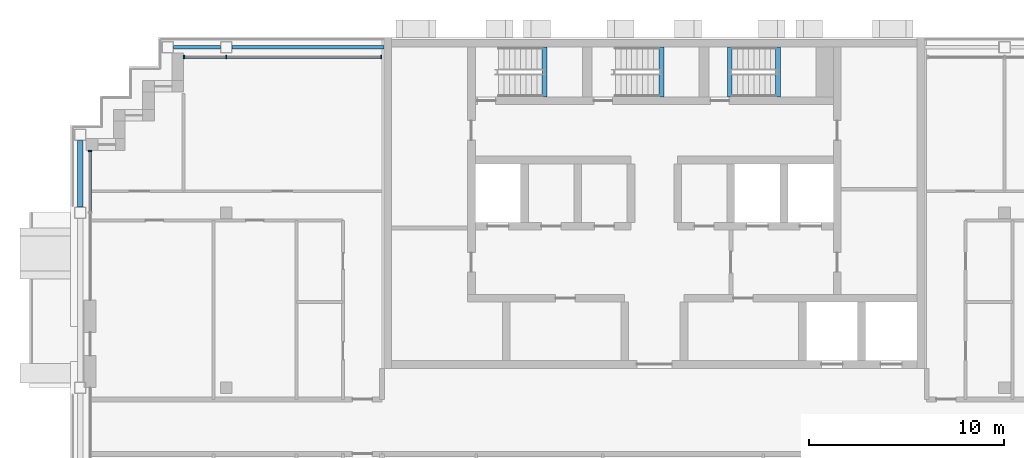
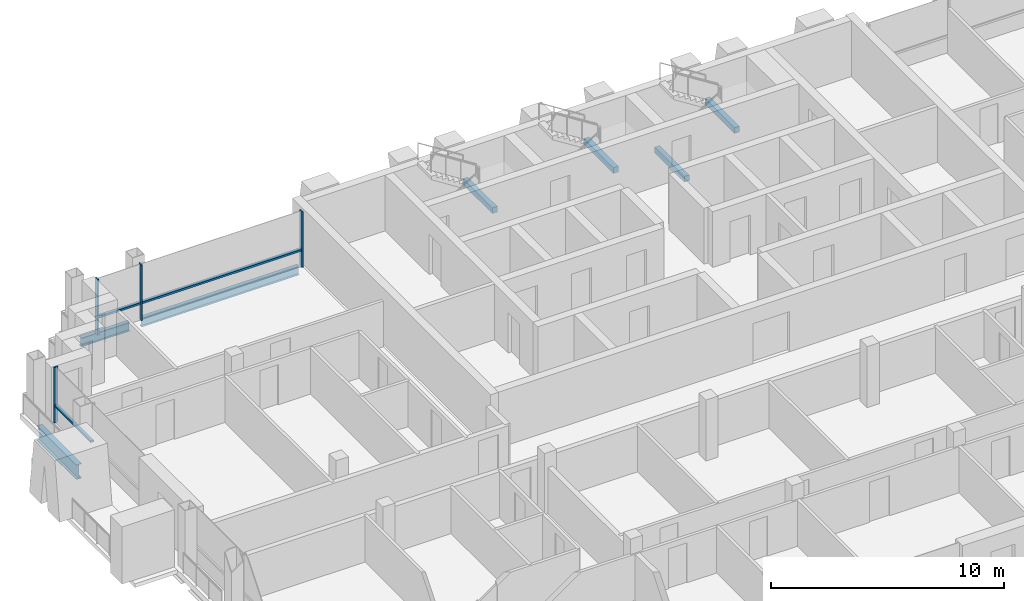
# One storey, part 4 of 15: 7 beams, 7 members, 2 elements without a shape of their own.
"""IFC4 building model written with IfcOpenShell, lengths in metres."""

from ifc_helpers import new_model, si_unit, direction, frame, origin, origin_2d, place, context, subcontext, project, spatial, rectangle, i_section, extrude, material, material_profile, profile_set, type_object, element, aggregate, save


model = new_model("IFC4")

# Units and contexts
model_context = context("Model", 3, precision=1e-05, world=origin(), true_north=direction((0.0, 1.0)))
body_context = subcontext(model_context, "Body", "Model", "MODEL_VIEW")
ifc_project = project(units=[si_unit("LENGTHUNIT", "METRE"), si_unit("AREAUNIT", "SQUARE_METRE"), si_unit("VOLUMEUNIT", "CUBIC_METRE"), si_unit("PLANEANGLEUNIT", "RADIAN"), si_unit("MASSUNIT", "GRAM", prefix="KILO")], contexts=[model_context])

# Site, building, storey
site_placement = place(None, origin())
site = spatial("IfcSite", under=ifc_project, at=site_placement, CompositionType="ELEMENT")
building_placement = place(site_placement, origin())
building = spatial("IfcBuilding", under=site, at=building_placement, Name="Vidyagriha Tower", CompositionType="ELEMENT")
storey_placement = place(building_placement, frame((0.0, 0.0, 214.0)))
storey = spatial("IfcBuildingStorey", under=building, at=storey_placement, Name="L55", CompositionType="ELEMENT", Elevation=214.0)

# Beams
ifc_material_1 = material(Name="Steel ASTM A992 Grade 50", Category="steel")
ifc_material_profile_1 = material_profile(ifc_material_1, i_section(OverallWidth=0.2666015625, OverallDepth=0.76953125, WebThickness=0.015625, FlangeThickness=0.025390625, at=origin_2d()), Name="W30X132")
ifc_profile_set_1 = profile_set([ifc_material_profile_1], Name="Steel ASTM A992 Grade 50")
beam_type_1 = type_object("IfcBeamType", Name="Cantilever edge beam W30X132", PredefinedType="SPANDREL", material=ifc_profile_set_1)
beam_1_placement = place(storey_placement, frame((-29.5, 11.300048828125, -0.664794921875), z_axis=(0.0, 1.0, 0.0), x_axis=(-1.0, 0.0, 0.0)))
element("IfcBeam", 1, at=beam_1_placement, inside=storey, type_object=beam_type_1, Name="st-beam-L55-W12", PredefinedType="SPANDREL", context=body_context, shape_type="SweptSolid", body=[
    extrude(i_section(OverallWidth=0.2666015625, OverallDepth=0.76953125, WebThickness=0.015625, FlangeThickness=0.025390625, at=origin_2d()), origin(), (0.0, 0.0, 1.0), 3.39990234375),
])
ifc_material_2 = material(Name="Steel ASTM A992 Grade 50", Category="steel")
ifc_material_profile_2 = material_profile(ifc_material_2, i_section(OverallWidth=0.19189453125, OverallDepth=0.46240234375, WebThickness=0.010498046875, FlangeThickness=0.017578125, at=origin_2d()), Name="W18X60")
ifc_profile_set_2 = profile_set([ifc_material_profile_2], Name="Steel ASTM A992 Grade 50")
beam_type_2 = type_object("IfcBeamType", Name="Edge beam W18X60", PredefinedType="SPANDREL", material=ifc_profile_set_2)
beam_2_placement = place(storey_placement, frame((-24.699951171875, 19.5, -0.51123046875), z_axis=(1.0, 0.0, 0.0), x_axis=(0.0, 1.0, 0.0)))
element("IfcBeam", 2, at=beam_2_placement, inside=storey, type_object=beam_type_2, Name="st-beam-L55-NW18", PredefinedType="SPANDREL", context=body_context, shape_type="SweptSolid", body=[
    extrude(i_section(OverallWidth=0.19189453125, OverallDepth=0.46240234375, WebThickness=0.010498046875, FlangeThickness=0.017578125, at=origin_2d()), origin(), (0.0, 0.0, 1.0), 2.39990234375),
])
beam_3_placement = place(storey_placement, frame((-21.699951171875, 19.5, -0.51123046875), z_axis=(1.0, 0.0, 0.0), x_axis=(0.0, 1.0, 0.0)))
element("IfcBeam", 3, at=beam_3_placement, inside=storey, type_object=beam_type_2, Name="st-beam-L55-NC20", PredefinedType="SPANDREL", context=body_context, shape_type="SweptSolid", body=[
    extrude(i_section(OverallWidth=0.19189453125, OverallDepth=0.46240234375, WebThickness=0.010498046875, FlangeThickness=0.017578125, at=origin_2d()), origin(), (0.0, 0.0, 1.0), 7.800048828125),
])

# Curtain wall, members
ifc_material_3 = material(Name="Aluminium and glass curtain wall", Category="aluminium")
curtain_wall_type = type_object("IfcCurtainWallType", Name="Dwelling skin unitised curtain wall", PredefinedType="USERDEFINED", material=ifc_material_3)
curtain_wall_1_placement = place(storey_placement, origin())
curtain_wall_1 = element("IfcCurtainWall", 4, at=curtain_wall_1_placement, inside=storey, type_object=curtain_wall_type, Name="CW1 dwelling skin", ObjectType="UNITISED", PredefinedType="USERDEFINED")
ifc_material_4 = material(Name="Aluminium black anodised", Category="aluminium")
ifc_material_profile_3 = material_profile(ifc_material_4, rectangle(XDim=0.199951171875, YDim=0.070068359375, at=origin_2d()), Name="Mullion 70x200 black aluminium")
ifc_profile_set_3 = profile_set([ifc_material_profile_3], Name="Aluminium black anodised")
member_type_1 = type_object("IfcMemberType", Name="Mullion 70x200 black aluminium", PredefinedType="MULLION", material=ifc_profile_set_3)
member_1_placement = place(storey_placement, frame((-14.034912109375, 19.0, 0.0), z_axis=(0.0, 0.0, 1.0), x_axis=(0.0, -1.0, 0.0)))
member_1 = element("IfcMember", 5, at=member_1_placement, type_object=member_type_1, Name="CW1 mullion 1", PredefinedType="MULLION", context=body_context, shape_type="SweptSolid", body=[
    extrude(rectangle(XDim=0.199951171875, YDim=0.070068359375, at=origin_2d()), origin(), (0.0, 0.0, 1.0), 2.919921875),
])
member_2_placement = place(storey_placement, frame((-22.0, 19.0, 0.0), z_axis=(0.0, 0.0, 1.0), x_axis=(0.0, -1.0, 0.0)))
member_2 = element("IfcMember", 6, at=member_2_placement, type_object=member_type_1, Name="CW1 mullion 2", PredefinedType="MULLION", context=body_context, shape_type="SweptSolid", body=[
    extrude(rectangle(XDim=0.199951171875, YDim=0.070068359375, at=origin_2d()), origin(), (0.0, 0.0, 1.0), 2.919921875),
])
member_3_placement = place(storey_placement, frame((-24.1650390625, 19.0, 0.0), z_axis=(0.0, 0.0, 1.0), x_axis=(0.0, -1.0, 0.0)))
member_3 = element("IfcMember", 7, at=member_3_placement, type_object=member_type_1, Name="CW1 mullion 3", PredefinedType="MULLION", context=body_context, shape_type="SweptSolid", body=[
    extrude(rectangle(XDim=0.199951171875, YDim=0.070068359375, at=origin_2d()), origin(), (0.0, 0.0, 1.0), 2.919921875),
])

# Curtain wall, member
curtain_wall_2_placement = place(storey_placement, origin())
curtain_wall_2 = element("IfcCurtainWall", 8, at=curtain_wall_2_placement, inside=storey, type_object=curtain_wall_type, Name="CW1 dwelling skin", ObjectType="UNITISED", PredefinedType="USERDEFINED")
member_4_placement = place(storey_placement, frame((-29.0, 14.1650390625, 0.0)))
member_4 = element("IfcMember", 9, at=member_4_placement, type_object=member_type_1, Name="CW1 mullion 1", PredefinedType="MULLION", context=body_context, shape_type="SweptSolid", body=[
    extrude(rectangle(XDim=0.199951171875, YDim=0.070068359375, at=origin_2d()), origin(), (0.0, 0.0, 1.0), 2.919921875),
])

# Beams
ifc_material_5 = material(Name="Concrete C40/50", Category="concrete")
ifc_material_profile_4 = material_profile(ifc_material_5, rectangle(XDim=0.25, YDim=0.300048828125, at=origin_2d()), Name="Stair landing bearing beam 250x300")
ifc_profile_set_4 = profile_set([ifc_material_profile_4], Name="Concrete C40/50")
beam_type_3 = type_object("IfcBeamType", Name="Stair landing bearing beam 250x300", PredefinedType="BEAM", material=ifc_profile_set_4)
for number, where, z_axis, x_axis, name in (
    (10, (3.875, 16.949951171875, -0.429931640625), (0.0, 1.0, 0.0), (-1.0, 0.0, 0.0), "ST3 floor landing bearing beam L55"),
    (11, (-5.635009765625, 16.949951171875, 1.25), (0.0, 1.0, 0.0), (-1.0, 0.0, 0.0), "ST1 landing bearing beam L55"),
    (12, (0.364990234375, 16.949951171875, 1.25), (0.0, 1.0, 0.0), (-1.0, 0.0, 0.0), "ST2 landing bearing beam L55"),
    (13, (6.364990234375, 16.949951171875, 1.25), (0.0, 1.0, 0.0), (-1.0, 0.0, 0.0), "ST3 landing bearing beam L55"),
):
    element("IfcBeam", number, at=place(storey_placement, frame(where, z_axis=z_axis, x_axis=x_axis)), inside=storey, type_object=beam_type_3, Name=name, PredefinedType="BEAM", context=body_context, shape_type="SweptSolid", body=[
        extrude(rectangle(XDim=0.25, YDim=0.300048828125, at=origin_2d()), origin(), (0.0, 0.0, 1.0), 2.550048828125),
    ])

# Member
ifc_material_6 = material(Name="Aluminium black anodised", Category="aluminium")
ifc_material_profile_5 = material_profile(ifc_material_6, rectangle(XDim=0.159912109375, YDim=0.10009765625, at=origin_2d()), Name="Transom 100x160 black aluminium")
ifc_profile_set_5 = profile_set([ifc_material_profile_5], Name="Aluminium black anodised")
member_type_2 = type_object("IfcMemberType", Name="Transom 100x160 black aluminium", PredefinedType="USERDEFINED", material=ifc_profile_set_5)
member_5_placement = place(storey_placement, frame((-14.070068359375, 19.0, 0.89990234375), z_axis=(-1.0, 0.0, 0.0), x_axis=(0.0, -1.0, 0.0)))
member_5 = element("IfcMember", 14, at=member_5_placement, type_object=member_type_2, Name="CW1 transom 1.1", ObjectType="TRANSOM", PredefinedType="USERDEFINED", context=body_context, shape_type="SweptSolid", body=[
    extrude(rectangle(XDim=0.159912109375, YDim=0.10009765625, at=origin_2d()), origin(), (0.0, 0.0, 1.0), 7.89501953125),
])

member_6_placement = place(storey_placement, frame((-22.034912109375, 19.0, 0.89990234375), z_axis=(-1.0, 0.0, 0.0), x_axis=(0.0, -1.0, 0.0)))
member_6 = element("IfcMember", 15, at=member_6_placement, type_object=member_type_2, Name="CW1 transom 2.1", ObjectType="TRANSOM", PredefinedType="USERDEFINED", context=body_context, shape_type="SweptSolid", body=[
    extrude(rectangle(XDim=0.159912109375, YDim=0.10009765625, at=origin_2d()), origin(), (0.0, 0.0, 1.0), 2.094970703125),
])

aggregate(curtain_wall_1, [member_1, member_2, member_3, member_5, member_6])

member_7_placement = place(storey_placement, frame((-29.0, 14.1298828125, 0.89990234375), z_axis=(0.0, -1.0, 0.0), x_axis=(1.0, 0.0, 0.0)))
member_7 = element("IfcMember", 16, at=member_7_placement, type_object=member_type_2, Name="CW1 transom 1.1", ObjectType="TRANSOM", PredefinedType="USERDEFINED", context=body_context, shape_type="SweptSolid", body=[
    extrude(rectangle(XDim=0.159912109375, YDim=0.10009765625, at=origin_2d()), origin(), (0.0, 0.0, 1.0), 3.094970703125),
])

aggregate(curtain_wall_2, [member_4, member_7])

save(model, "model.ifc")
